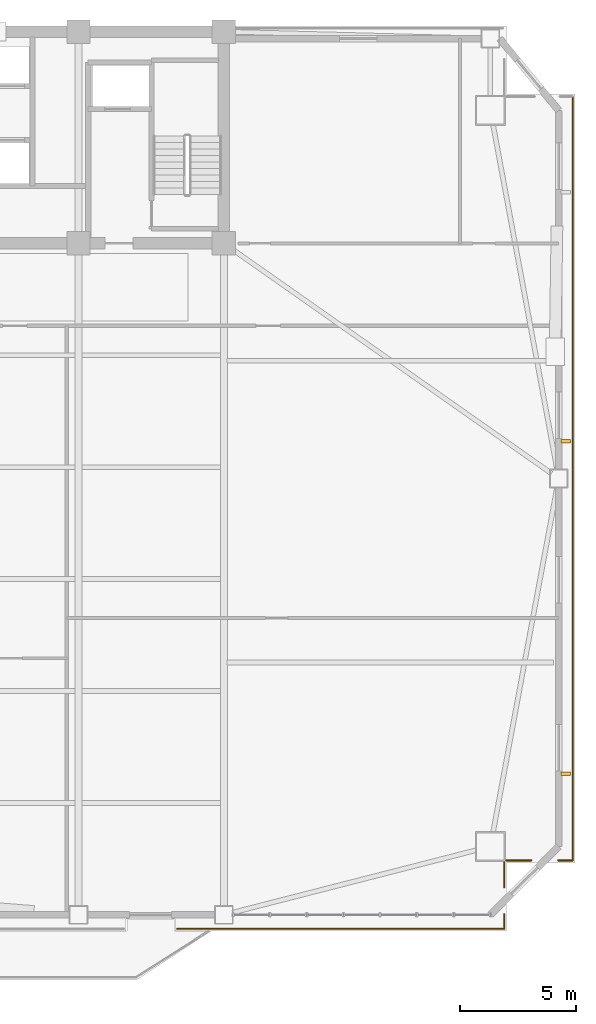
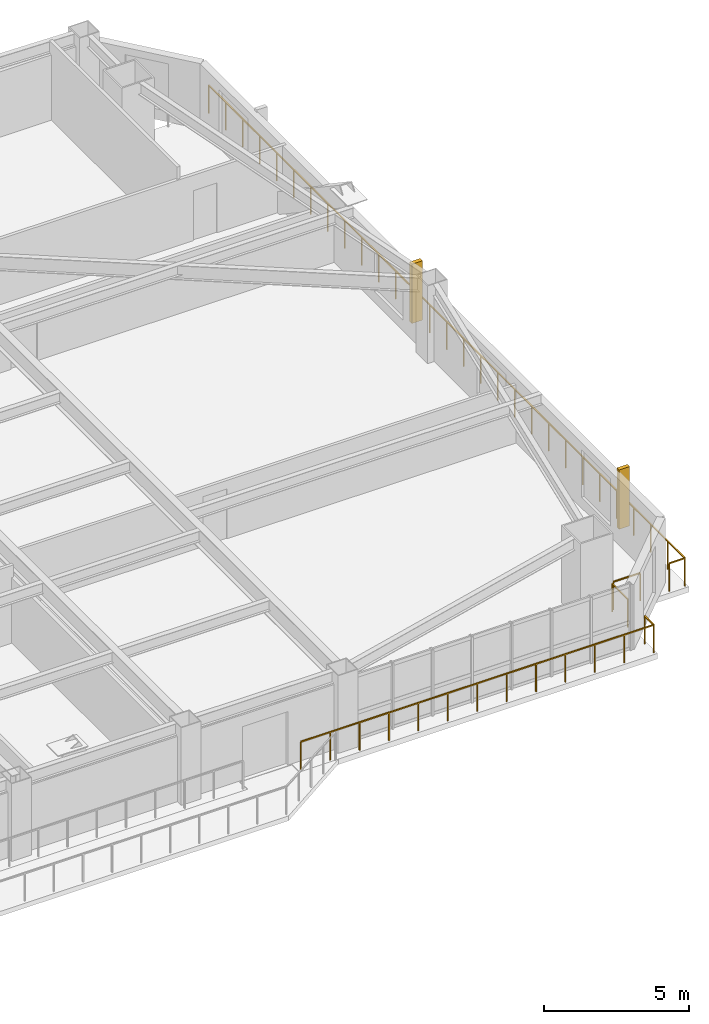
# One storey, part 13 of 15: 6 railings, 2 shading devices.
"""IFC4 building model written with IfcOpenShell, lengths in metres."""

from ifc_helpers import new_model, si_unit, direction, frame, origin, origin_2d, place, context, subcontext, project, spatial, rectangle, extrude, source, transform, mapped, material, type_object, element, save


model = new_model("IFC4")

# Units and contexts
model_context = context("Model", 3, precision=1e-05, world=origin(), true_north=direction((0.0, 1.0)))
body_context = subcontext(model_context, "Body", "Model", "MODEL_VIEW")
ifc_project = project(units=[si_unit("LENGTHUNIT", "METRE"), si_unit("AREAUNIT", "SQUARE_METRE"), si_unit("VOLUMEUNIT", "CUBIC_METRE"), si_unit("PLANEANGLEUNIT", "RADIAN"), si_unit("MASSUNIT", "GRAM", prefix="KILO")], contexts=[model_context])

# Site, building, storey
site_placement = place(None, origin())
site = spatial("IfcSite", under=ifc_project, at=site_placement, CompositionType="ELEMENT")
building_placement = place(site_placement, origin())
building = spatial("IfcBuilding", under=site, at=building_placement, Name="Giltprow Tower", CompositionType="ELEMENT")
storey_placement = place(building_placement, frame((0.0, 0.0, 152.699951171875)))
storey = spatial("IfcBuildingStorey", under=building, at=storey_placement, Name="L37", CompositionType="ELEMENT", Elevation=152.699951171875)

# Railings
ifc_material = material(Name="Anodized bronze", Category="metal")
railing_type = type_object("IfcRailingType", Name="RAIL-BALC-GUARD-1200", PredefinedType="BALUSTRADE", material=ifc_material)
railing_1_placement = place(storey_placement, frame((65.551025390625, 43.760986328125, 0.0)))
element("IfcRailing", 1, at=railing_1_placement, inside=storey, type_object=railing_type, Name="L37 Corner Apron Edge Balustrade 14", PredefinedType="BALUSTRADE", context=body_context, shape_type="SweptSolid", body=[
    extrude(rectangle(XDim=0.048095703125, YDim=0.048095703125, at=origin_2d()), frame((0.0, 0.0, 1.17578125), z_axis=(0.0, -1.0, 0.0), x_axis=(1.0, 0.0, 0.0)), (0.0, 0.0, 1.0), 32.85009765625),
    extrude(rectangle(XDim=0.0419921875, YDim=0.0419921875, at=origin_2d()), origin(), (0.0, 0.0, 1.0), 1.15185546875),
    extrude(rectangle(XDim=0.0419921875, YDim=0.0419921875, at=origin_2d()), frame((0.0, -1.17333984375, 0.0)), (0.0, 0.0, 1.0), 1.15185546875),
    extrude(rectangle(XDim=0.0419921875, YDim=0.0419921875, at=origin_2d()), frame((0.0, -2.346435546875, 0.0)), (0.0, 0.0, 1.0), 1.15185546875),
    extrude(rectangle(XDim=0.0419921875, YDim=0.0419921875, at=origin_2d()), frame((0.0, -3.51953125, 0.0)), (0.0, 0.0, 1.0), 1.15185546875),
    extrude(rectangle(XDim=0.0419921875, YDim=0.0419921875, at=origin_2d()), frame((0.0, -4.69287109375, 0.0)), (0.0, 0.0, 1.0), 1.15185546875),
    extrude(rectangle(XDim=0.0419921875, YDim=0.0419921875, at=origin_2d()), frame((0.0, -5.8662109375, 0.0)), (0.0, 0.0, 1.0), 1.15185546875),
    extrude(rectangle(XDim=0.0419921875, YDim=0.0419921875, at=origin_2d()), frame((0.0, -7.039306640625, 0.0)), (0.0, 0.0, 1.0), 1.15185546875),
    extrude(rectangle(XDim=0.0419921875, YDim=0.0419921875, at=origin_2d()), frame((0.0, -8.21240234375, 0.0)), (0.0, 0.0, 1.0), 1.15185546875),
    extrude(rectangle(XDim=0.0419921875, YDim=0.0419921875, at=origin_2d()), frame((0.0, -9.3857421875, 0.0)), (0.0, 0.0, 1.0), 1.15185546875),
    extrude(rectangle(XDim=0.0419921875, YDim=0.0419921875, at=origin_2d()), frame((0.0, -10.55908203125, 0.0)), (0.0, 0.0, 1.0), 1.15185546875),
    extrude(rectangle(XDim=0.0419921875, YDim=0.0419921875, at=origin_2d()), frame((0.0, -11.732177734375, 0.0)), (0.0, 0.0, 1.0), 1.15185546875),
    extrude(rectangle(XDim=0.0419921875, YDim=0.0419921875, at=origin_2d()), frame((0.0, -12.9052734375, 0.0)), (0.0, 0.0, 1.0), 1.15185546875),
    extrude(rectangle(XDim=0.0419921875, YDim=0.0419921875, at=origin_2d()), frame((0.0, -14.07861328125, 0.0)), (0.0, 0.0, 1.0), 1.15185546875),
    extrude(rectangle(XDim=0.0419921875, YDim=0.0419921875, at=origin_2d()), frame((0.0, -15.251953125, 0.0)), (0.0, 0.0, 1.0), 1.15185546875),
    extrude(rectangle(XDim=0.0419921875, YDim=0.0419921875, at=origin_2d()), frame((0.0, -16.425048828125, 0.0)), (0.0, 0.0, 1.0), 1.15185546875),
    extrude(rectangle(XDim=0.0419921875, YDim=0.0419921875, at=origin_2d()), frame((0.0, -17.59814453125, 0.0)), (0.0, 0.0, 1.0), 1.15185546875),
    extrude(rectangle(XDim=0.0419921875, YDim=0.0419921875, at=origin_2d()), frame((0.0, -18.771484375, 0.0)), (0.0, 0.0, 1.0), 1.15185546875),
    extrude(rectangle(XDim=0.0419921875, YDim=0.0419921875, at=origin_2d()), frame((0.0, -19.94482421875, 0.0)), (0.0, 0.0, 1.0), 1.15185546875),
    extrude(rectangle(XDim=0.0419921875, YDim=0.0419921875, at=origin_2d()), frame((0.0, -21.117919921875, 0.0)), (0.0, 0.0, 1.0), 1.15185546875),
    extrude(rectangle(XDim=0.0419921875, YDim=0.0419921875, at=origin_2d()), frame((0.0, -22.291015625, 0.0)), (0.0, 0.0, 1.0), 1.15185546875),
    extrude(rectangle(XDim=0.0419921875, YDim=0.0419921875, at=origin_2d()), frame((0.0, -23.46435546875, 0.0)), (0.0, 0.0, 1.0), 1.15185546875),
    extrude(rectangle(XDim=0.0419921875, YDim=0.0419921875, at=origin_2d()), frame((0.0, -24.6376953125, 0.0)), (0.0, 0.0, 1.0), 1.15185546875),
    extrude(rectangle(XDim=0.0419921875, YDim=0.0419921875, at=origin_2d()), frame((0.0, -25.810791015625, 0.0)), (0.0, 0.0, 1.0), 1.15185546875),
    extrude(rectangle(XDim=0.0419921875, YDim=0.0419921875, at=origin_2d()), frame((0.0, -26.98388671875, 0.0)), (0.0, 0.0, 1.0), 1.15185546875),
    extrude(rectangle(XDim=0.0419921875, YDim=0.0419921875, at=origin_2d()), frame((0.0, -28.1572265625, 0.0)), (0.0, 0.0, 1.0), 1.15185546875),
    extrude(rectangle(XDim=0.0419921875, YDim=0.0419921875, at=origin_2d()), frame((0.0, -29.33056640625, 0.0)), (0.0, 0.0, 1.0), 1.15185546875),
    extrude(rectangle(XDim=0.0419921875, YDim=0.0419921875, at=origin_2d()), frame((0.0, -30.503662109375, 0.0)), (0.0, 0.0, 1.0), 1.15185546875),
    extrude(rectangle(XDim=0.0419921875, YDim=0.0419921875, at=origin_2d()), frame((0.0, -31.6767578125, 0.0)), (0.0, 0.0, 1.0), 1.15185546875),
    extrude(rectangle(XDim=0.0419921875, YDim=0.0419921875, at=origin_2d()), frame((0.0, -32.85009765625, 0.0)), (0.0, 0.0, 1.0), 1.15185546875),
])
railing_2_placement = place(storey_placement, frame((65.551025390625, 10.910888671875, 0.0)))
element("IfcRailing", 2, at=railing_2_placement, inside=storey, type_object=railing_type, Name="L37 Corner Apron Edge Balustrade 15", PredefinedType="BALUSTRADE", context=body_context, shape_type="SweptSolid", body=[
    extrude(rectangle(XDim=0.048095703125, YDim=0.048095703125, at=origin_2d()), frame((0.0, 0.0, 1.17578125), z_axis=(-1.0, 0.0, 0.0), x_axis=(0.0, -1.0, 0.0)), (0.0, 0.0, 1.0), 0.6201171875),
    extrude(rectangle(XDim=0.0419921875, YDim=0.0419921875, at=origin_2d()), origin(), (0.0, 0.0, 1.0), 1.15185546875),
    extrude(rectangle(XDim=0.0419921875, YDim=0.0419921875, at=origin_2d()), frame((-0.6201171875, 0.0, 0.0)), (0.0, 0.0, 1.0), 1.15185546875),
])
railing_3_placement = place(storey_placement, frame((63.77099609375, 10.910888671875, 0.0)))
element("IfcRailing", 3, at=railing_3_placement, inside=storey, type_object=railing_type, Name="L37 Corner Apron Edge Balustrade 16", PredefinedType="BALUSTRADE", context=body_context, shape_type="SweptSolid", body=[
    extrude(rectangle(XDim=0.048095703125, YDim=0.048095703125, at=origin_2d()), frame((0.0, 0.0, 1.17578125), z_axis=(-1.0, 0.0, 0.0), x_axis=(0.0, -1.0, 0.0)), (0.0, 0.0, 1.0), 1.073974609375),
    extrude(rectangle(XDim=0.0419921875, YDim=0.0419921875, at=origin_2d()), origin(), (0.0, 0.0, 1.0), 1.15185546875),
    extrude(rectangle(XDim=0.0419921875, YDim=0.0419921875, at=origin_2d()), frame((-1.073974609375, 0.0, 0.0)), (0.0, 0.0, 1.0), 1.15185546875),
])
railing_4_placement = place(storey_placement, frame((62.612060546875, 10.825927734375, 0.0)))
element("IfcRailing", 4, at=railing_4_placement, inside=storey, type_object=railing_type, Name="L37 Corner Apron Edge Balustrade 17", PredefinedType="BALUSTRADE", context=body_context, shape_type="SweptSolid", body=[
    extrude(rectangle(XDim=0.048095703125, YDim=0.048095703125, at=origin_2d()), frame((0.0, 0.0, 1.17578125), z_axis=(0.0, -1.0, 0.0), x_axis=(1.0, 0.0, 0.0)), (0.0, 0.0, 1.0), 1.073974609375),
    extrude(rectangle(XDim=0.0419921875, YDim=0.0419921875, at=origin_2d()), origin(), (0.0, 0.0, 1.0), 1.15185546875),
    extrude(rectangle(XDim=0.0419921875, YDim=0.0419921875, at=origin_2d()), frame((0.0, -1.073974609375, 0.0)), (0.0, 0.0, 1.0), 1.15185546875),
])
railing_5_placement = place(storey_placement, frame((62.612060546875, 8.592041015625, 0.0)))
element("IfcRailing", 5, at=railing_5_placement, inside=storey, type_object=railing_type, Name="L37 Corner Apron Edge Balustrade 18", PredefinedType="BALUSTRADE", context=body_context, shape_type="SweptSolid", body=[
    extrude(rectangle(XDim=0.048095703125, YDim=0.048095703125, at=origin_2d()), frame((0.0, 0.0, 1.17578125), z_axis=(0.0, -1.0, 0.0), x_axis=(1.0, 0.0, 0.0)), (0.0, 0.0, 1.0), 0.6201171875),
    extrude(rectangle(XDim=0.0419921875, YDim=0.0419921875, at=origin_2d()), origin(), (0.0, 0.0, 1.0), 1.15185546875),
    extrude(rectangle(XDim=0.0419921875, YDim=0.0419921875, at=origin_2d()), frame((0.0, -0.6201171875, 0.0)), (0.0, 0.0, 1.0), 1.15185546875),
])
railing_6_placement = place(storey_placement, frame((62.612060546875, 7.971923828125, 0.0)))
element("IfcRailing", 6, at=railing_6_placement, inside=storey, type_object=railing_type, Name="L37 Corner Apron Edge Balustrade 19", PredefinedType="BALUSTRADE", context=body_context, shape_type="SweptSolid", body=[
    extrude(rectangle(XDim=0.048095703125, YDim=0.048095703125, at=origin_2d()), frame((0.0, 0.0, 1.17578125), z_axis=(-1.0, 0.0, 0.0), x_axis=(0.0, -1.0, 0.0)), (0.0, 0.0, 1.0), 14.06201171875),
    extrude(rectangle(XDim=0.0419921875, YDim=0.0419921875, at=origin_2d()), origin(), (0.0, 0.0, 1.0), 1.15185546875),
    extrude(rectangle(XDim=0.0419921875, YDim=0.0419921875, at=origin_2d()), frame((-1.171875, 0.0, 0.0)), (0.0, 0.0, 1.0), 1.15185546875),
    extrude(rectangle(XDim=0.0419921875, YDim=0.0419921875, at=origin_2d()), frame((-2.34375, 0.0, 0.0)), (0.0, 0.0, 1.0), 1.15185546875),
    extrude(rectangle(XDim=0.0419921875, YDim=0.0419921875, at=origin_2d()), frame((-3.515625, 0.0, 0.0)), (0.0, 0.0, 1.0), 1.15185546875),
    extrude(rectangle(XDim=0.0419921875, YDim=0.0419921875, at=origin_2d()), frame((-4.687255859375, 0.0, 0.0)), (0.0, 0.0, 1.0), 1.15185546875),
    extrude(rectangle(XDim=0.0419921875, YDim=0.0419921875, at=origin_2d()), frame((-5.859130859375, 0.0, 0.0)), (0.0, 0.0, 1.0), 1.15185546875),
    extrude(rectangle(XDim=0.0419921875, YDim=0.0419921875, at=origin_2d()), frame((-7.031005859375, 0.0, 0.0)), (0.0, 0.0, 1.0), 1.15185546875),
    extrude(rectangle(XDim=0.0419921875, YDim=0.0419921875, at=origin_2d()), frame((-8.202880859375, 0.0, 0.0)), (0.0, 0.0, 1.0), 1.15185546875),
    extrude(rectangle(XDim=0.0419921875, YDim=0.0419921875, at=origin_2d()), frame((-9.374755859375, 0.0, 0.0)), (0.0, 0.0, 1.0), 1.15185546875),
    extrude(rectangle(XDim=0.0419921875, YDim=0.0419921875, at=origin_2d()), frame((-10.54638671875, 0.0, 0.0)), (0.0, 0.0, 1.0), 1.15185546875),
    extrude(rectangle(XDim=0.0419921875, YDim=0.0419921875, at=origin_2d()), frame((-11.71826171875, 0.0, 0.0)), (0.0, 0.0, 1.0), 1.15185546875),
    extrude(rectangle(XDim=0.0419921875, YDim=0.0419921875, at=origin_2d()), frame((-12.89013671875, 0.0, 0.0)), (0.0, 0.0, 1.0), 1.15185546875),
    extrude(rectangle(XDim=0.0419921875, YDim=0.0419921875, at=origin_2d()), frame((-14.06201171875, 0.0, 0.0)), (0.0, 0.0, 1.0), 1.15185546875),
])

# Shading devices
shading_device_type = type_object("IfcShadingDeviceType", Name="SHD-FIN-420", PredefinedType="USERDEFINED", material=ifc_material)
shared_shape = source(origin(), body_context, "Body", "SweptSolid", [
    extrude(rectangle(XDim=0.419921875, YDim=0.159912109375, at=origin_2d()), origin(), (0.0, 0.0, 1.0), 2.5),
])
for number, where, z_axis, x_axis, name in (
    (7, (65.2509765625, 14.64208984375, 0.35009765625), (0.0, 0.0, 1.0), (1.0, 0.0, 0.0), "L37 E Bronze Vertical Fin 1-1"),
    (8, (65.2509765625, 28.94091796875, 0.35009765625), (0.0, 0.0, 1.0), (1.0, 0.0, 0.0), "L37 E Bronze Vertical Fin 2-1"),
):
    element("IfcShadingDevice", number, at=place(storey_placement, frame(where, z_axis=z_axis, x_axis=x_axis)), inside=storey, type_object=shading_device_type, Name=name, ObjectType="FIN", PredefinedType="USERDEFINED", context=body_context, shape_type="MappedRepresentation", body=[
        mapped(shared_shape, transform((0.0, 0.0, 0.0), x_axis=(1.0, 0.0, 0.0), y_axis=(0.0, 1.0, 0.0), z_axis=(0.0, 0.0, 1.0), scale=1.0)),
    ])

save(model, "model.ifc")
